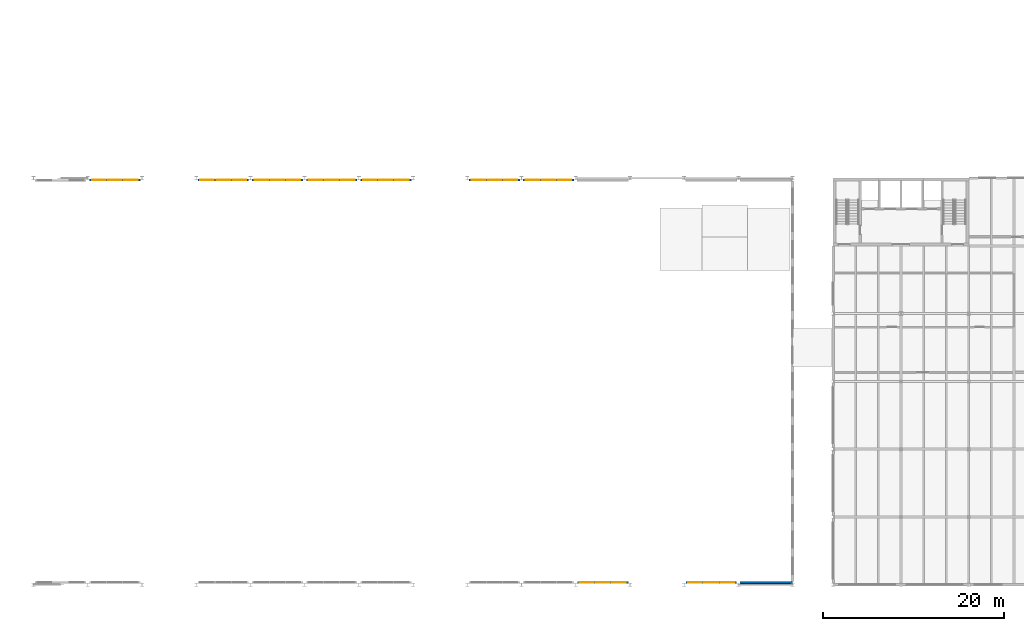
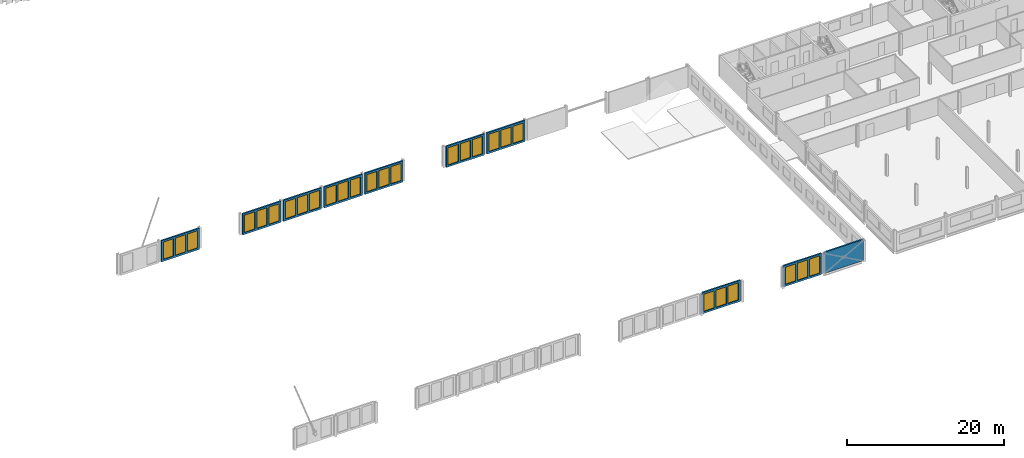
# One storey, part 44 of 198: 27 windows, 10 walls, 27 openings.
"""IFC4 building model written with IfcOpenShell, lengths in metres."""

from ifc_helpers import new_model, si_unit, direction, frame, frame_2d, origin, place, context, subcontext, project, spatial, rectangle, extrude, material, layer, layer_set, type_object, element, fill, save


model = new_model("IFC4")

# Units and contexts
model_context = context("Model", 3, precision=1e-05, world=origin(), true_north=direction((0.0, 1.0)))
body_context = subcontext(model_context, "Body", "Model", "MODEL_VIEW")
ifc_project = project(units=[si_unit("LENGTHUNIT", "METRE"), si_unit("AREAUNIT", "SQUARE_METRE"), si_unit("VOLUMEUNIT", "CUBIC_METRE"), si_unit("PLANEANGLEUNIT", "RADIAN"), si_unit("MASSUNIT", "GRAM", prefix="KILO")], contexts=[model_context])

# Site, building, storey
site_placement = place(None, origin())
site = spatial("IfcSite", under=ifc_project, at=site_placement, CompositionType="ELEMENT")
building_placement = place(site_placement, origin())
building = spatial("IfcBuilding", under=site, at=building_placement, Name="Parallax Yard Mobility Hub", CompositionType="ELEMENT")
storey_placement = place(building_placement, frame((0.0, 0.0, 6.60009765625)))
storey = spatial("IfcBuildingStorey", under=building, at=storey_placement, Name="L02", CompositionType="ELEMENT", Elevation=6.60009765625)

# Wall, openings, windows
ifc_material_1 = material(Name="Concrete fc' 35 MPa", Category="concrete")
ifc_layer = layer(ifc_material_1, 0.219970703125)
ifc_layer_set = layer_set([ifc_layer], Name="Gable panel, Concrete fc' 35 MPa precast, 220")
wall_type = type_object("IfcWallType", Name="Gable panel, Concrete fc' 35 MPa precast, 220", PredefinedType="SOLIDWALL", material=ifc_layer_set)
wall_1_placement = place(storey_placement, frame((69.1865234375, 7.72412109375, 0.0), z_axis=(0.0, 0.0, 1.0), x_axis=(1.0, 0.0, 0.0)))
wall_1 = element("IfcWall", 1, at=wall_1_placement, inside=storey, type_object=wall_type, Name="Bus and taxi deck south gable wall bay 9 level L02", PredefinedType="SOLIDWALL", context=body_context, shape_type="SweptSolid", body=[
    extrude(rectangle(XDim=5.626953125, YDim=0.219970703125, at=frame_2d((2.8134765625, 0.0))), origin(), (0.0, 0.0, 1.0), 3.2998046875),
])
opening_1_placement = place(wall_1_placement, frame((0.28173828125, 0.0, 0.300048828125)))
opening_1 = element("IfcOpeningElement", 2, at=opening_1_placement, cuts=wall_1, Name="Opening LV8", PredefinedType="OPENING", context=body_context, shape_type="SweptSolid", body=[
    extrude(rectangle(XDim=1.5, YDim=2.699951171875, at=frame_2d((0.75, 1.35009765625))), frame((0.0, 0.1201171875, 0.0), z_axis=(0.0, -1.0, 0.0), x_axis=(1.0, 0.0, 0.0)), (0.0, 0.0, 1.0), 0.239990234375),
])
opening_2_placement = place(wall_1_placement, frame((2.0634765625, 0.0, 0.300048828125)))
opening_2 = element("IfcOpeningElement", 3, at=opening_2_placement, cuts=wall_1, Name="Opening LV8", PredefinedType="OPENING", context=body_context, shape_type="SweptSolid", body=[
    extrude(rectangle(XDim=1.5, YDim=2.699951171875, at=frame_2d((0.75, 1.35009765625))), frame((0.0, 0.1201171875, 0.0), z_axis=(0.0, -1.0, 0.0), x_axis=(1.0, 0.0, 0.0)), (0.0, 0.0, 1.0), 0.239990234375),
])
opening_3_placement = place(wall_1_placement, frame((3.84521484375, 0.0, 0.300048828125)))
opening_3 = element("IfcOpeningElement", 4, at=opening_3_placement, cuts=wall_1, Name="Opening LV8", PredefinedType="OPENING", context=body_context, shape_type="SweptSolid", body=[
    extrude(rectangle(XDim=1.5, YDim=2.699951171875, at=frame_2d((0.75, 1.35009765625))), frame((0.0, 0.1201171875, 0.0), z_axis=(0.0, -1.0, 0.0), x_axis=(1.0, 0.0, 0.0)), (0.0, 0.0, 1.0), 0.239990234375),
])
ifc_material_2 = material(Name="Extruded aluminium storm louvre blades in a powder-coated frame", Category="aluminium")
window_type = type_object("IfcWindowType", Name="Storm louvre 1500 x 2700", PartitioningType="SINGLE_PANEL", PredefinedType="WINDOW", material=ifc_material_2)
window_1_placement = place(opening_1_placement, origin())
window_1 = element("IfcWindow", 5, at=window_1_placement, inside=storey, type_object=window_type, Name="LV8 louvre level L02", OverallHeight=2.699951171875, OverallWidth=1.5, PartitioningType="SINGLE_PANEL", PredefinedType="WINDOW", context=body_context, shape_type="SweptSolid", body=[
    extrude(rectangle(XDim=1.5, YDim=2.699951171875, at=frame_2d((0.75, 1.35009765625))), frame((0.0, 0.030029296875, 0.0), z_axis=(0.0, -1.0, 0.0), x_axis=(1.0, 0.0, 0.0)), (0.0, 0.0, 1.0), 0.06005859375),
])
fill(opening_1, window_1)
window_2_placement = place(opening_2_placement, origin())
window_2 = element("IfcWindow", 6, at=window_2_placement, inside=storey, type_object=window_type, Name="LV8 louvre level L02", OverallHeight=2.699951171875, OverallWidth=1.5, PartitioningType="SINGLE_PANEL", PredefinedType="WINDOW", context=body_context, shape_type="SweptSolid", body=[
    extrude(rectangle(XDim=1.5, YDim=2.699951171875, at=frame_2d((0.75, 1.35009765625))), frame((0.0, 0.030029296875, 0.0), z_axis=(0.0, -1.0, 0.0), x_axis=(1.0, 0.0, 0.0)), (0.0, 0.0, 1.0), 0.06005859375),
])
fill(opening_2, window_2)
window_3_placement = place(opening_3_placement, origin())
window_3 = element("IfcWindow", 7, at=window_3_placement, inside=storey, type_object=window_type, Name="LV8 louvre level L02", OverallHeight=2.699951171875, OverallWidth=1.5, PartitioningType="SINGLE_PANEL", PredefinedType="WINDOW", context=body_context, shape_type="SweptSolid", body=[
    extrude(rectangle(XDim=1.5, YDim=2.699951171875, at=frame_2d((0.75, 1.35009765625))), frame((0.0, 0.030029296875, 0.0), z_axis=(0.0, -1.0, 0.0), x_axis=(1.0, 0.0, 0.0)), (0.0, 0.0, 1.0), 0.06005859375),
])
fill(opening_3, window_3)

wall_2_placement = place(storey_placement, frame((81.1865234375, 7.72412109375, 0.0), z_axis=(0.0, 0.0, 1.0), x_axis=(1.0, 0.0, 0.0)))
wall_2 = element("IfcWall", 8, at=wall_2_placement, inside=storey, type_object=wall_type, Name="Bus and taxi deck south gable wall bay 10 level L02", PredefinedType="SOLIDWALL", context=body_context, shape_type="SweptSolid", body=[
    extrude(rectangle(XDim=5.626953125, YDim=0.219970703125, at=frame_2d((2.8134765625, 0.0))), origin(), (0.0, 0.0, 1.0), 3.2998046875),
])
opening_4_placement = place(wall_2_placement, frame((0.28173828125, 0.0, 0.300048828125)))
opening_4 = element("IfcOpeningElement", 9, at=opening_4_placement, cuts=wall_2, Name="Opening LV8", PredefinedType="OPENING", context=body_context, shape_type="SweptSolid", body=[
    extrude(rectangle(XDim=1.5, YDim=2.699951171875, at=frame_2d((0.75, 1.35009765625))), frame((0.0, 0.1201171875, 0.0), z_axis=(0.0, -1.0, 0.0), x_axis=(1.0, 0.0, 0.0)), (0.0, 0.0, 1.0), 0.239990234375),
])
opening_5_placement = place(wall_2_placement, frame((2.0634765625, 0.0, 0.300048828125)))
opening_5 = element("IfcOpeningElement", 10, at=opening_5_placement, cuts=wall_2, Name="Opening LV8", PredefinedType="OPENING", context=body_context, shape_type="SweptSolid", body=[
    extrude(rectangle(XDim=1.5, YDim=2.699951171875, at=frame_2d((0.75, 1.35009765625))), frame((0.0, 0.1201171875, 0.0), z_axis=(0.0, -1.0, 0.0), x_axis=(1.0, 0.0, 0.0)), (0.0, 0.0, 1.0), 0.239990234375),
])
opening_6_placement = place(wall_2_placement, frame((3.84521484375, 0.0, 0.300048828125)))
opening_6 = element("IfcOpeningElement", 11, at=opening_6_placement, cuts=wall_2, Name="Opening LV8", PredefinedType="OPENING", context=body_context, shape_type="SweptSolid", body=[
    extrude(rectangle(XDim=1.5, YDim=2.699951171875, at=frame_2d((0.75, 1.35009765625))), frame((0.0, 0.1201171875, 0.0), z_axis=(0.0, -1.0, 0.0), x_axis=(1.0, 0.0, 0.0)), (0.0, 0.0, 1.0), 0.239990234375),
])
window_4_placement = place(opening_4_placement, origin())
window_4 = element("IfcWindow", 12, at=window_4_placement, inside=storey, type_object=window_type, Name="LV8 louvre level L02", OverallHeight=2.699951171875, OverallWidth=1.5, PartitioningType="SINGLE_PANEL", PredefinedType="WINDOW", context=body_context, shape_type="SweptSolid", body=[
    extrude(rectangle(XDim=1.5, YDim=2.699951171875, at=frame_2d((0.75, 1.35009765625))), frame((0.0, 0.030029296875, 0.0), z_axis=(0.0, -1.0, 0.0), x_axis=(1.0, 0.0, 0.0)), (0.0, 0.0, 1.0), 0.06005859375),
])
fill(opening_4, window_4)
window_5_placement = place(opening_5_placement, origin())
window_5 = element("IfcWindow", 13, at=window_5_placement, inside=storey, type_object=window_type, Name="LV8 louvre level L02", OverallHeight=2.699951171875, OverallWidth=1.5, PartitioningType="SINGLE_PANEL", PredefinedType="WINDOW", context=body_context, shape_type="SweptSolid", body=[
    extrude(rectangle(XDim=1.5, YDim=2.699951171875, at=frame_2d((0.75, 1.35009765625))), frame((0.0, 0.030029296875, 0.0), z_axis=(0.0, -1.0, 0.0), x_axis=(1.0, 0.0, 0.0)), (0.0, 0.0, 1.0), 0.06005859375),
])
fill(opening_5, window_5)
window_6_placement = place(opening_6_placement, origin())
window_6 = element("IfcWindow", 14, at=window_6_placement, inside=storey, type_object=window_type, Name="LV8 louvre level L02", OverallHeight=2.699951171875, OverallWidth=1.5, PartitioningType="SINGLE_PANEL", PredefinedType="WINDOW", context=body_context, shape_type="SweptSolid", body=[
    extrude(rectangle(XDim=1.5, YDim=2.699951171875, at=frame_2d((0.75, 1.35009765625))), frame((0.0, 0.030029296875, 0.0), z_axis=(0.0, -1.0, 0.0), x_axis=(1.0, 0.0, 0.0)), (0.0, 0.0, 1.0), 0.06005859375),
])
fill(opening_6, window_6)

# Wall
wall_3_placement = place(storey_placement, frame((87.1865234375, 7.72900390625, 0.0), z_axis=(0.0, 0.0, 1.0), x_axis=(1.0, 0.0, 0.0)))
element("IfcWall", 15, at=wall_3_placement, inside=storey, type_object=wall_type, Name="Bus and taxi deck south gable wall bay 11 level L02", PredefinedType="SOLIDWALL", context=body_context, shape_type="SweptSolid", body=[
    extrude(rectangle(XDim=5.783447265625, YDim=0.219970703125, at=frame_2d((2.8916015625, 0.0))), origin(), (0.0, 0.0, 1.0), 3.2998046875),
])

# Wall, openings, windows
wall_4_placement = place(storey_placement, frame((15.1865234375, 52.27587890625, 0.0), z_axis=(0.0, 0.0, 1.0), x_axis=(1.0, 0.0, 0.0)))
wall_4 = element("IfcWall", 16, at=wall_4_placement, inside=storey, type_object=wall_type, Name="Bus and taxi deck north gable wall bay 2 level L02", PredefinedType="SOLIDWALL", context=body_context, shape_type="SweptSolid", body=[
    extrude(rectangle(XDim=5.626953125, YDim=0.219970703125, at=frame_2d((2.8134765625, 0.0))), origin(), (0.0, 0.0, 1.0), 3.2998046875),
])
opening_7_placement = place(wall_4_placement, frame((0.28173828125, 0.0, 0.300048828125)))
opening_7 = element("IfcOpeningElement", 17, at=opening_7_placement, cuts=wall_4, Name="Opening LV8", PredefinedType="OPENING", context=body_context, shape_type="SweptSolid", body=[
    extrude(rectangle(XDim=1.5, YDim=2.699951171875, at=frame_2d((0.75, 1.35009765625))), frame((0.0, 0.1201171875, 0.0), z_axis=(0.0, -1.0, 0.0), x_axis=(1.0, 0.0, 0.0)), (0.0, 0.0, 1.0), 0.239990234375),
])
opening_8_placement = place(wall_4_placement, frame((2.0634765625, 0.0, 0.300048828125)))
opening_8 = element("IfcOpeningElement", 18, at=opening_8_placement, cuts=wall_4, Name="Opening LV8", PredefinedType="OPENING", context=body_context, shape_type="SweptSolid", body=[
    extrude(rectangle(XDim=1.5, YDim=2.699951171875, at=frame_2d((0.75, 1.35009765625))), frame((0.0, 0.1201171875, 0.0), z_axis=(0.0, -1.0, 0.0), x_axis=(1.0, 0.0, 0.0)), (0.0, 0.0, 1.0), 0.239990234375),
])
opening_9_placement = place(wall_4_placement, frame((3.84521484375, 0.0, 0.300048828125)))
opening_9 = element("IfcOpeningElement", 19, at=opening_9_placement, cuts=wall_4, Name="Opening LV8", PredefinedType="OPENING", context=body_context, shape_type="SweptSolid", body=[
    extrude(rectangle(XDim=1.5, YDim=2.699951171875, at=frame_2d((0.75, 1.35009765625))), frame((0.0, 0.1201171875, 0.0), z_axis=(0.0, -1.0, 0.0), x_axis=(1.0, 0.0, 0.0)), (0.0, 0.0, 1.0), 0.239990234375),
])
window_7_placement = place(opening_7_placement, origin())
window_7 = element("IfcWindow", 20, at=window_7_placement, inside=storey, type_object=window_type, Name="LV8 louvre level L02", OverallHeight=2.699951171875, OverallWidth=1.5, PartitioningType="SINGLE_PANEL", PredefinedType="WINDOW", context=body_context, shape_type="SweptSolid", body=[
    extrude(rectangle(XDim=1.5, YDim=2.699951171875, at=frame_2d((0.75, 1.35009765625))), frame((0.0, 0.030029296875, 0.0), z_axis=(0.0, -1.0, 0.0), x_axis=(1.0, 0.0, 0.0)), (0.0, 0.0, 1.0), 0.06005859375),
])
fill(opening_7, window_7)
window_8_placement = place(opening_8_placement, origin())
window_8 = element("IfcWindow", 21, at=window_8_placement, inside=storey, type_object=window_type, Name="LV8 louvre level L02", OverallHeight=2.699951171875, OverallWidth=1.5, PartitioningType="SINGLE_PANEL", PredefinedType="WINDOW", context=body_context, shape_type="SweptSolid", body=[
    extrude(rectangle(XDim=1.5, YDim=2.699951171875, at=frame_2d((0.75, 1.35009765625))), frame((0.0, 0.030029296875, 0.0), z_axis=(0.0, -1.0, 0.0), x_axis=(1.0, 0.0, 0.0)), (0.0, 0.0, 1.0), 0.06005859375),
])
fill(opening_8, window_8)
window_9_placement = place(opening_9_placement, origin())
window_9 = element("IfcWindow", 22, at=window_9_placement, inside=storey, type_object=window_type, Name="LV8 louvre level L02", OverallHeight=2.699951171875, OverallWidth=1.5, PartitioningType="SINGLE_PANEL", PredefinedType="WINDOW", context=body_context, shape_type="SweptSolid", body=[
    extrude(rectangle(XDim=1.5, YDim=2.699951171875, at=frame_2d((0.75, 1.35009765625))), frame((0.0, 0.030029296875, 0.0), z_axis=(0.0, -1.0, 0.0), x_axis=(1.0, 0.0, 0.0)), (0.0, 0.0, 1.0), 0.06005859375),
])
fill(opening_9, window_9)

wall_5_placement = place(storey_placement, frame((27.1865234375, 52.27587890625, 0.0), z_axis=(0.0, 0.0, 1.0), x_axis=(1.0, 0.0, 0.0)))
wall_5 = element("IfcWall", 23, at=wall_5_placement, inside=storey, type_object=wall_type, Name="Bus and taxi deck north gable wall bay 3 level L02", PredefinedType="SOLIDWALL", context=body_context, shape_type="SweptSolid", body=[
    extrude(rectangle(XDim=5.626953125, YDim=0.219970703125, at=frame_2d((2.8134765625, 0.0))), origin(), (0.0, 0.0, 1.0), 3.2998046875),
])
opening_10_placement = place(wall_5_placement, frame((0.28173828125, 0.0, 0.300048828125)))
opening_10 = element("IfcOpeningElement", 24, at=opening_10_placement, cuts=wall_5, Name="Opening LV8", PredefinedType="OPENING", context=body_context, shape_type="SweptSolid", body=[
    extrude(rectangle(XDim=1.5, YDim=2.699951171875, at=frame_2d((0.75, 1.35009765625))), frame((0.0, 0.1201171875, 0.0), z_axis=(0.0, -1.0, 0.0), x_axis=(1.0, 0.0, 0.0)), (0.0, 0.0, 1.0), 0.239990234375),
])
opening_11_placement = place(wall_5_placement, frame((2.0634765625, 0.0, 0.300048828125)))
opening_11 = element("IfcOpeningElement", 25, at=opening_11_placement, cuts=wall_5, Name="Opening LV8", PredefinedType="OPENING", context=body_context, shape_type="SweptSolid", body=[
    extrude(rectangle(XDim=1.5, YDim=2.699951171875, at=frame_2d((0.75, 1.35009765625))), frame((0.0, 0.1201171875, 0.0), z_axis=(0.0, -1.0, 0.0), x_axis=(1.0, 0.0, 0.0)), (0.0, 0.0, 1.0), 0.239990234375),
])
opening_12_placement = place(wall_5_placement, frame((3.84521484375, 0.0, 0.300048828125)))
opening_12 = element("IfcOpeningElement", 26, at=opening_12_placement, cuts=wall_5, Name="Opening LV8", PredefinedType="OPENING", context=body_context, shape_type="SweptSolid", body=[
    extrude(rectangle(XDim=1.5, YDim=2.699951171875, at=frame_2d((0.75, 1.35009765625))), frame((0.0, 0.1201171875, 0.0), z_axis=(0.0, -1.0, 0.0), x_axis=(1.0, 0.0, 0.0)), (0.0, 0.0, 1.0), 0.239990234375),
])
window_10_placement = place(opening_10_placement, origin())
window_10 = element("IfcWindow", 27, at=window_10_placement, inside=storey, type_object=window_type, Name="LV8 louvre level L02", OverallHeight=2.699951171875, OverallWidth=1.5, PartitioningType="SINGLE_PANEL", PredefinedType="WINDOW", context=body_context, shape_type="SweptSolid", body=[
    extrude(rectangle(XDim=1.5, YDim=2.699951171875, at=frame_2d((0.75, 1.35009765625))), frame((0.0, 0.030029296875, 0.0), z_axis=(0.0, -1.0, 0.0), x_axis=(1.0, 0.0, 0.0)), (0.0, 0.0, 1.0), 0.06005859375),
])
fill(opening_10, window_10)
window_11_placement = place(opening_11_placement, origin())
window_11 = element("IfcWindow", 28, at=window_11_placement, inside=storey, type_object=window_type, Name="LV8 louvre level L02", OverallHeight=2.699951171875, OverallWidth=1.5, PartitioningType="SINGLE_PANEL", PredefinedType="WINDOW", context=body_context, shape_type="SweptSolid", body=[
    extrude(rectangle(XDim=1.5, YDim=2.699951171875, at=frame_2d((0.75, 1.35009765625))), frame((0.0, 0.030029296875, 0.0), z_axis=(0.0, -1.0, 0.0), x_axis=(1.0, 0.0, 0.0)), (0.0, 0.0, 1.0), 0.06005859375),
])
fill(opening_11, window_11)
window_12_placement = place(opening_12_placement, origin())
window_12 = element("IfcWindow", 29, at=window_12_placement, inside=storey, type_object=window_type, Name="LV8 louvre level L02", OverallHeight=2.699951171875, OverallWidth=1.5, PartitioningType="SINGLE_PANEL", PredefinedType="WINDOW", context=body_context, shape_type="SweptSolid", body=[
    extrude(rectangle(XDim=1.5, YDim=2.699951171875, at=frame_2d((0.75, 1.35009765625))), frame((0.0, 0.030029296875, 0.0), z_axis=(0.0, -1.0, 0.0), x_axis=(1.0, 0.0, 0.0)), (0.0, 0.0, 1.0), 0.06005859375),
])
fill(opening_12, window_12)

wall_6_placement = place(storey_placement, frame((33.1865234375, 52.27587890625, 0.0), z_axis=(0.0, 0.0, 1.0), x_axis=(1.0, 0.0, 0.0)))
wall_6 = element("IfcWall", 30, at=wall_6_placement, inside=storey, type_object=wall_type, Name="Bus and taxi deck north gable wall bay 4 level L02", PredefinedType="SOLIDWALL", context=body_context, shape_type="SweptSolid", body=[
    extrude(rectangle(XDim=5.626953125, YDim=0.219970703125, at=frame_2d((2.8134765625, 0.0))), origin(), (0.0, 0.0, 1.0), 3.2998046875),
])
opening_13_placement = place(wall_6_placement, frame((0.28173828125, 0.0, 0.300048828125)))
opening_13 = element("IfcOpeningElement", 31, at=opening_13_placement, cuts=wall_6, Name="Opening LV8", PredefinedType="OPENING", context=body_context, shape_type="SweptSolid", body=[
    extrude(rectangle(XDim=1.5, YDim=2.699951171875, at=frame_2d((0.75, 1.35009765625))), frame((0.0, 0.1201171875, 0.0), z_axis=(0.0, -1.0, 0.0), x_axis=(1.0, 0.0, 0.0)), (0.0, 0.0, 1.0), 0.239990234375),
])
opening_14_placement = place(wall_6_placement, frame((2.0634765625, 0.0, 0.300048828125)))
opening_14 = element("IfcOpeningElement", 32, at=opening_14_placement, cuts=wall_6, Name="Opening LV8", PredefinedType="OPENING", context=body_context, shape_type="SweptSolid", body=[
    extrude(rectangle(XDim=1.5, YDim=2.699951171875, at=frame_2d((0.75, 1.35009765625))), frame((0.0, 0.1201171875, 0.0), z_axis=(0.0, -1.0, 0.0), x_axis=(1.0, 0.0, 0.0)), (0.0, 0.0, 1.0), 0.239990234375),
])
opening_15_placement = place(wall_6_placement, frame((3.84521484375, 0.0, 0.300048828125)))
opening_15 = element("IfcOpeningElement", 33, at=opening_15_placement, cuts=wall_6, Name="Opening LV8", PredefinedType="OPENING", context=body_context, shape_type="SweptSolid", body=[
    extrude(rectangle(XDim=1.5, YDim=2.699951171875, at=frame_2d((0.75, 1.35009765625))), frame((0.0, 0.1201171875, 0.0), z_axis=(0.0, -1.0, 0.0), x_axis=(1.0, 0.0, 0.0)), (0.0, 0.0, 1.0), 0.239990234375),
])
window_13_placement = place(opening_13_placement, origin())
window_13 = element("IfcWindow", 34, at=window_13_placement, inside=storey, type_object=window_type, Name="LV8 louvre level L02", OverallHeight=2.699951171875, OverallWidth=1.5, PartitioningType="SINGLE_PANEL", PredefinedType="WINDOW", context=body_context, shape_type="SweptSolid", body=[
    extrude(rectangle(XDim=1.5, YDim=2.699951171875, at=frame_2d((0.75, 1.35009765625))), frame((0.0, 0.030029296875, 0.0), z_axis=(0.0, -1.0, 0.0), x_axis=(1.0, 0.0, 0.0)), (0.0, 0.0, 1.0), 0.06005859375),
])
fill(opening_13, window_13)
window_14_placement = place(opening_14_placement, origin())
window_14 = element("IfcWindow", 35, at=window_14_placement, inside=storey, type_object=window_type, Name="LV8 louvre level L02", OverallHeight=2.699951171875, OverallWidth=1.5, PartitioningType="SINGLE_PANEL", PredefinedType="WINDOW", context=body_context, shape_type="SweptSolid", body=[
    extrude(rectangle(XDim=1.5, YDim=2.699951171875, at=frame_2d((0.75, 1.35009765625))), frame((0.0, 0.030029296875, 0.0), z_axis=(0.0, -1.0, 0.0), x_axis=(1.0, 0.0, 0.0)), (0.0, 0.0, 1.0), 0.06005859375),
])
fill(opening_14, window_14)
window_15_placement = place(opening_15_placement, origin())
window_15 = element("IfcWindow", 36, at=window_15_placement, inside=storey, type_object=window_type, Name="LV8 louvre level L02", OverallHeight=2.699951171875, OverallWidth=1.5, PartitioningType="SINGLE_PANEL", PredefinedType="WINDOW", context=body_context, shape_type="SweptSolid", body=[
    extrude(rectangle(XDim=1.5, YDim=2.699951171875, at=frame_2d((0.75, 1.35009765625))), frame((0.0, 0.030029296875, 0.0), z_axis=(0.0, -1.0, 0.0), x_axis=(1.0, 0.0, 0.0)), (0.0, 0.0, 1.0), 0.06005859375),
])
fill(opening_15, window_15)

wall_7_placement = place(storey_placement, frame((39.1865234375, 52.27587890625, 0.0), z_axis=(0.0, 0.0, 1.0), x_axis=(1.0, 0.0, 0.0)))
wall_7 = element("IfcWall", 37, at=wall_7_placement, inside=storey, type_object=wall_type, Name="Bus and taxi deck north gable wall bay 5 level L02", PredefinedType="SOLIDWALL", context=body_context, shape_type="SweptSolid", body=[
    extrude(rectangle(XDim=5.626953125, YDim=0.219970703125, at=frame_2d((2.8134765625, 0.0))), origin(), (0.0, 0.0, 1.0), 3.2998046875),
])
opening_16_placement = place(wall_7_placement, frame((0.28173828125, 0.0, 0.300048828125)))
opening_16 = element("IfcOpeningElement", 38, at=opening_16_placement, cuts=wall_7, Name="Opening LV8", PredefinedType="OPENING", context=body_context, shape_type="SweptSolid", body=[
    extrude(rectangle(XDim=1.5, YDim=2.699951171875, at=frame_2d((0.75, 1.35009765625))), frame((0.0, 0.1201171875, 0.0), z_axis=(0.0, -1.0, 0.0), x_axis=(1.0, 0.0, 0.0)), (0.0, 0.0, 1.0), 0.239990234375),
])
opening_17_placement = place(wall_7_placement, frame((2.0634765625, 0.0, 0.300048828125)))
opening_17 = element("IfcOpeningElement", 39, at=opening_17_placement, cuts=wall_7, Name="Opening LV8", PredefinedType="OPENING", context=body_context, shape_type="SweptSolid", body=[
    extrude(rectangle(XDim=1.5, YDim=2.699951171875, at=frame_2d((0.75, 1.35009765625))), frame((0.0, 0.1201171875, 0.0), z_axis=(0.0, -1.0, 0.0), x_axis=(1.0, 0.0, 0.0)), (0.0, 0.0, 1.0), 0.239990234375),
])
opening_18_placement = place(wall_7_placement, frame((3.84521484375, 0.0, 0.300048828125)))
opening_18 = element("IfcOpeningElement", 40, at=opening_18_placement, cuts=wall_7, Name="Opening LV8", PredefinedType="OPENING", context=body_context, shape_type="SweptSolid", body=[
    extrude(rectangle(XDim=1.5, YDim=2.699951171875, at=frame_2d((0.75, 1.35009765625))), frame((0.0, 0.1201171875, 0.0), z_axis=(0.0, -1.0, 0.0), x_axis=(1.0, 0.0, 0.0)), (0.0, 0.0, 1.0), 0.239990234375),
])
window_16_placement = place(opening_16_placement, origin())
window_16 = element("IfcWindow", 41, at=window_16_placement, inside=storey, type_object=window_type, Name="LV8 louvre level L02", OverallHeight=2.699951171875, OverallWidth=1.5, PartitioningType="SINGLE_PANEL", PredefinedType="WINDOW", context=body_context, shape_type="SweptSolid", body=[
    extrude(rectangle(XDim=1.5, YDim=2.699951171875, at=frame_2d((0.75, 1.35009765625))), frame((0.0, 0.030029296875, 0.0), z_axis=(0.0, -1.0, 0.0), x_axis=(1.0, 0.0, 0.0)), (0.0, 0.0, 1.0), 0.06005859375),
])
fill(opening_16, window_16)
window_17_placement = place(opening_17_placement, origin())
window_17 = element("IfcWindow", 42, at=window_17_placement, inside=storey, type_object=window_type, Name="LV8 louvre level L02", OverallHeight=2.699951171875, OverallWidth=1.5, PartitioningType="SINGLE_PANEL", PredefinedType="WINDOW", context=body_context, shape_type="SweptSolid", body=[
    extrude(rectangle(XDim=1.5, YDim=2.699951171875, at=frame_2d((0.75, 1.35009765625))), frame((0.0, 0.030029296875, 0.0), z_axis=(0.0, -1.0, 0.0), x_axis=(1.0, 0.0, 0.0)), (0.0, 0.0, 1.0), 0.06005859375),
])
fill(opening_17, window_17)
window_18_placement = place(opening_18_placement, origin())
window_18 = element("IfcWindow", 43, at=window_18_placement, inside=storey, type_object=window_type, Name="LV8 louvre level L02", OverallHeight=2.699951171875, OverallWidth=1.5, PartitioningType="SINGLE_PANEL", PredefinedType="WINDOW", context=body_context, shape_type="SweptSolid", body=[
    extrude(rectangle(XDim=1.5, YDim=2.699951171875, at=frame_2d((0.75, 1.35009765625))), frame((0.0, 0.030029296875, 0.0), z_axis=(0.0, -1.0, 0.0), x_axis=(1.0, 0.0, 0.0)), (0.0, 0.0, 1.0), 0.06005859375),
])
fill(opening_18, window_18)

wall_8_placement = place(storey_placement, frame((45.1865234375, 52.27587890625, 0.0), z_axis=(0.0, 0.0, 1.0), x_axis=(1.0, 0.0, 0.0)))
wall_8 = element("IfcWall", 44, at=wall_8_placement, inside=storey, type_object=wall_type, Name="Bus and taxi deck north gable wall bay 6 level L02", PredefinedType="SOLIDWALL", context=body_context, shape_type="SweptSolid", body=[
    extrude(rectangle(XDim=5.626953125, YDim=0.219970703125, at=frame_2d((2.8134765625, 0.0))), origin(), (0.0, 0.0, 1.0), 3.2998046875),
])
opening_19_placement = place(wall_8_placement, frame((0.28173828125, 0.0, 0.300048828125)))
opening_19 = element("IfcOpeningElement", 45, at=opening_19_placement, cuts=wall_8, Name="Opening LV8", PredefinedType="OPENING", context=body_context, shape_type="SweptSolid", body=[
    extrude(rectangle(XDim=1.5, YDim=2.699951171875, at=frame_2d((0.75, 1.35009765625))), frame((0.0, 0.1201171875, 0.0), z_axis=(0.0, -1.0, 0.0), x_axis=(1.0, 0.0, 0.0)), (0.0, 0.0, 1.0), 0.239990234375),
])
opening_20_placement = place(wall_8_placement, frame((2.0634765625, 0.0, 0.300048828125)))
opening_20 = element("IfcOpeningElement", 46, at=opening_20_placement, cuts=wall_8, Name="Opening LV8", PredefinedType="OPENING", context=body_context, shape_type="SweptSolid", body=[
    extrude(rectangle(XDim=1.5, YDim=2.699951171875, at=frame_2d((0.75, 1.35009765625))), frame((0.0, 0.1201171875, 0.0), z_axis=(0.0, -1.0, 0.0), x_axis=(1.0, 0.0, 0.0)), (0.0, 0.0, 1.0), 0.239990234375),
])
opening_21_placement = place(wall_8_placement, frame((3.84521484375, 0.0, 0.300048828125)))
opening_21 = element("IfcOpeningElement", 47, at=opening_21_placement, cuts=wall_8, Name="Opening LV8", PredefinedType="OPENING", context=body_context, shape_type="SweptSolid", body=[
    extrude(rectangle(XDim=1.5, YDim=2.699951171875, at=frame_2d((0.75, 1.35009765625))), frame((0.0, 0.1201171875, 0.0), z_axis=(0.0, -1.0, 0.0), x_axis=(1.0, 0.0, 0.0)), (0.0, 0.0, 1.0), 0.239990234375),
])
window_19_placement = place(opening_19_placement, origin())
window_19 = element("IfcWindow", 48, at=window_19_placement, inside=storey, type_object=window_type, Name="LV8 louvre level L02", OverallHeight=2.699951171875, OverallWidth=1.5, PartitioningType="SINGLE_PANEL", PredefinedType="WINDOW", context=body_context, shape_type="SweptSolid", body=[
    extrude(rectangle(XDim=1.5, YDim=2.699951171875, at=frame_2d((0.75, 1.35009765625))), frame((0.0, 0.030029296875, 0.0), z_axis=(0.0, -1.0, 0.0), x_axis=(1.0, 0.0, 0.0)), (0.0, 0.0, 1.0), 0.06005859375),
])
fill(opening_19, window_19)
window_20_placement = place(opening_20_placement, origin())
window_20 = element("IfcWindow", 49, at=window_20_placement, inside=storey, type_object=window_type, Name="LV8 louvre level L02", OverallHeight=2.699951171875, OverallWidth=1.5, PartitioningType="SINGLE_PANEL", PredefinedType="WINDOW", context=body_context, shape_type="SweptSolid", body=[
    extrude(rectangle(XDim=1.5, YDim=2.699951171875, at=frame_2d((0.75, 1.35009765625))), frame((0.0, 0.030029296875, 0.0), z_axis=(0.0, -1.0, 0.0), x_axis=(1.0, 0.0, 0.0)), (0.0, 0.0, 1.0), 0.06005859375),
])
fill(opening_20, window_20)
window_21_placement = place(opening_21_placement, origin())
window_21 = element("IfcWindow", 50, at=window_21_placement, inside=storey, type_object=window_type, Name="LV8 louvre level L02", OverallHeight=2.699951171875, OverallWidth=1.5, PartitioningType="SINGLE_PANEL", PredefinedType="WINDOW", context=body_context, shape_type="SweptSolid", body=[
    extrude(rectangle(XDim=1.5, YDim=2.699951171875, at=frame_2d((0.75, 1.35009765625))), frame((0.0, 0.030029296875, 0.0), z_axis=(0.0, -1.0, 0.0), x_axis=(1.0, 0.0, 0.0)), (0.0, 0.0, 1.0), 0.06005859375),
])
fill(opening_21, window_21)

wall_9_placement = place(storey_placement, frame((57.1865234375, 52.27587890625, 0.0), z_axis=(0.0, 0.0, 1.0), x_axis=(1.0, 0.0, 0.0)))
wall_9 = element("IfcWall", 51, at=wall_9_placement, inside=storey, type_object=wall_type, Name="Bus and taxi deck north gable wall bay 7 level L02", PredefinedType="SOLIDWALL", context=body_context, shape_type="SweptSolid", body=[
    extrude(rectangle(XDim=5.626953125, YDim=0.219970703125, at=frame_2d((2.8134765625, 0.0))), origin(), (0.0, 0.0, 1.0), 3.2998046875),
])
opening_22_placement = place(wall_9_placement, frame((0.28173828125, 0.0, 0.300048828125)))
opening_22 = element("IfcOpeningElement", 52, at=opening_22_placement, cuts=wall_9, Name="Opening LV8", PredefinedType="OPENING", context=body_context, shape_type="SweptSolid", body=[
    extrude(rectangle(XDim=1.5, YDim=2.699951171875, at=frame_2d((0.75, 1.35009765625))), frame((0.0, 0.1201171875, 0.0), z_axis=(0.0, -1.0, 0.0), x_axis=(1.0, 0.0, 0.0)), (0.0, 0.0, 1.0), 0.239990234375),
])
opening_23_placement = place(wall_9_placement, frame((2.0634765625, 0.0, 0.300048828125)))
opening_23 = element("IfcOpeningElement", 53, at=opening_23_placement, cuts=wall_9, Name="Opening LV8", PredefinedType="OPENING", context=body_context, shape_type="SweptSolid", body=[
    extrude(rectangle(XDim=1.5, YDim=2.699951171875, at=frame_2d((0.75, 1.35009765625))), frame((0.0, 0.1201171875, 0.0), z_axis=(0.0, -1.0, 0.0), x_axis=(1.0, 0.0, 0.0)), (0.0, 0.0, 1.0), 0.239990234375),
])
opening_24_placement = place(wall_9_placement, frame((3.84521484375, 0.0, 0.300048828125)))
opening_24 = element("IfcOpeningElement", 54, at=opening_24_placement, cuts=wall_9, Name="Opening LV8", PredefinedType="OPENING", context=body_context, shape_type="SweptSolid", body=[
    extrude(rectangle(XDim=1.5, YDim=2.699951171875, at=frame_2d((0.75, 1.35009765625))), frame((0.0, 0.1201171875, 0.0), z_axis=(0.0, -1.0, 0.0), x_axis=(1.0, 0.0, 0.0)), (0.0, 0.0, 1.0), 0.239990234375),
])
window_22_placement = place(opening_22_placement, origin())
window_22 = element("IfcWindow", 55, at=window_22_placement, inside=storey, type_object=window_type, Name="LV8 louvre level L02", OverallHeight=2.699951171875, OverallWidth=1.5, PartitioningType="SINGLE_PANEL", PredefinedType="WINDOW", context=body_context, shape_type="SweptSolid", body=[
    extrude(rectangle(XDim=1.5, YDim=2.699951171875, at=frame_2d((0.75, 1.35009765625))), frame((0.0, 0.030029296875, 0.0), z_axis=(0.0, -1.0, 0.0), x_axis=(1.0, 0.0, 0.0)), (0.0, 0.0, 1.0), 0.06005859375),
])
fill(opening_22, window_22)
window_23_placement = place(opening_23_placement, origin())
window_23 = element("IfcWindow", 56, at=window_23_placement, inside=storey, type_object=window_type, Name="LV8 louvre level L02", OverallHeight=2.699951171875, OverallWidth=1.5, PartitioningType="SINGLE_PANEL", PredefinedType="WINDOW", context=body_context, shape_type="SweptSolid", body=[
    extrude(rectangle(XDim=1.5, YDim=2.699951171875, at=frame_2d((0.75, 1.35009765625))), frame((0.0, 0.030029296875, 0.0), z_axis=(0.0, -1.0, 0.0), x_axis=(1.0, 0.0, 0.0)), (0.0, 0.0, 1.0), 0.06005859375),
])
fill(opening_23, window_23)
window_24_placement = place(opening_24_placement, origin())
window_24 = element("IfcWindow", 57, at=window_24_placement, inside=storey, type_object=window_type, Name="LV8 louvre level L02", OverallHeight=2.699951171875, OverallWidth=1.5, PartitioningType="SINGLE_PANEL", PredefinedType="WINDOW", context=body_context, shape_type="SweptSolid", body=[
    extrude(rectangle(XDim=1.5, YDim=2.699951171875, at=frame_2d((0.75, 1.35009765625))), frame((0.0, 0.030029296875, 0.0), z_axis=(0.0, -1.0, 0.0), x_axis=(1.0, 0.0, 0.0)), (0.0, 0.0, 1.0), 0.06005859375),
])
fill(opening_24, window_24)

wall_10_placement = place(storey_placement, frame((63.1865234375, 52.27587890625, 0.0), z_axis=(0.0, 0.0, 1.0), x_axis=(1.0, 0.0, 0.0)))
wall_10 = element("IfcWall", 58, at=wall_10_placement, inside=storey, type_object=wall_type, Name="Bus and taxi deck north gable wall bay 8 level L02", PredefinedType="SOLIDWALL", context=body_context, shape_type="SweptSolid", body=[
    extrude(rectangle(XDim=5.626953125, YDim=0.219970703125, at=frame_2d((2.8134765625, 0.0))), origin(), (0.0, 0.0, 1.0), 3.2998046875),
])
opening_25_placement = place(wall_10_placement, frame((0.28173828125, 0.0, 0.300048828125)))
opening_25 = element("IfcOpeningElement", 59, at=opening_25_placement, cuts=wall_10, Name="Opening LV8", PredefinedType="OPENING", context=body_context, shape_type="SweptSolid", body=[
    extrude(rectangle(XDim=1.5, YDim=2.699951171875, at=frame_2d((0.75, 1.35009765625))), frame((0.0, 0.1201171875, 0.0), z_axis=(0.0, -1.0, 0.0), x_axis=(1.0, 0.0, 0.0)), (0.0, 0.0, 1.0), 0.239990234375),
])
opening_26_placement = place(wall_10_placement, frame((2.0634765625, 0.0, 0.300048828125)))
opening_26 = element("IfcOpeningElement", 60, at=opening_26_placement, cuts=wall_10, Name="Opening LV8", PredefinedType="OPENING", context=body_context, shape_type="SweptSolid", body=[
    extrude(rectangle(XDim=1.5, YDim=2.699951171875, at=frame_2d((0.75, 1.35009765625))), frame((0.0, 0.1201171875, 0.0), z_axis=(0.0, -1.0, 0.0), x_axis=(1.0, 0.0, 0.0)), (0.0, 0.0, 1.0), 0.239990234375),
])
opening_27_placement = place(wall_10_placement, frame((3.84521484375, 0.0, 0.300048828125)))
opening_27 = element("IfcOpeningElement", 61, at=opening_27_placement, cuts=wall_10, Name="Opening LV8", PredefinedType="OPENING", context=body_context, shape_type="SweptSolid", body=[
    extrude(rectangle(XDim=1.5, YDim=2.699951171875, at=frame_2d((0.75, 1.35009765625))), frame((0.0, 0.1201171875, 0.0), z_axis=(0.0, -1.0, 0.0), x_axis=(1.0, 0.0, 0.0)), (0.0, 0.0, 1.0), 0.239990234375),
])
window_25_placement = place(opening_25_placement, origin())
window_25 = element("IfcWindow", 62, at=window_25_placement, inside=storey, type_object=window_type, Name="LV8 louvre level L02", OverallHeight=2.699951171875, OverallWidth=1.5, PartitioningType="SINGLE_PANEL", PredefinedType="WINDOW", context=body_context, shape_type="SweptSolid", body=[
    extrude(rectangle(XDim=1.5, YDim=2.699951171875, at=frame_2d((0.75, 1.35009765625))), frame((0.0, 0.030029296875, 0.0), z_axis=(0.0, -1.0, 0.0), x_axis=(1.0, 0.0, 0.0)), (0.0, 0.0, 1.0), 0.06005859375),
])
fill(opening_25, window_25)
window_26_placement = place(opening_26_placement, origin())
window_26 = element("IfcWindow", 63, at=window_26_placement, inside=storey, type_object=window_type, Name="LV8 louvre level L02", OverallHeight=2.699951171875, OverallWidth=1.5, PartitioningType="SINGLE_PANEL", PredefinedType="WINDOW", context=body_context, shape_type="SweptSolid", body=[
    extrude(rectangle(XDim=1.5, YDim=2.699951171875, at=frame_2d((0.75, 1.35009765625))), frame((0.0, 0.030029296875, 0.0), z_axis=(0.0, -1.0, 0.0), x_axis=(1.0, 0.0, 0.0)), (0.0, 0.0, 1.0), 0.06005859375),
])
fill(opening_26, window_26)
window_27_placement = place(opening_27_placement, origin())
window_27 = element("IfcWindow", 64, at=window_27_placement, inside=storey, type_object=window_type, Name="LV8 louvre level L02", OverallHeight=2.699951171875, OverallWidth=1.5, PartitioningType="SINGLE_PANEL", PredefinedType="WINDOW", context=body_context, shape_type="SweptSolid", body=[
    extrude(rectangle(XDim=1.5, YDim=2.699951171875, at=frame_2d((0.75, 1.35009765625))), frame((0.0, 0.030029296875, 0.0), z_axis=(0.0, -1.0, 0.0), x_axis=(1.0, 0.0, 0.0)), (0.0, 0.0, 1.0), 0.06005859375),
])
fill(opening_27, window_27)

save(model, "model.ifc")
